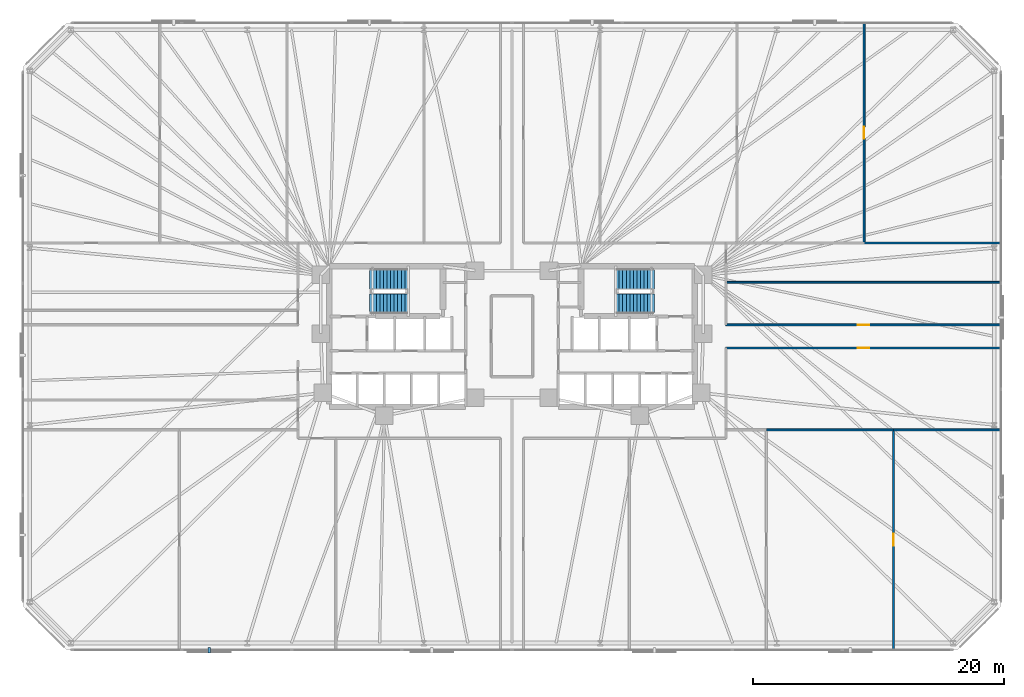
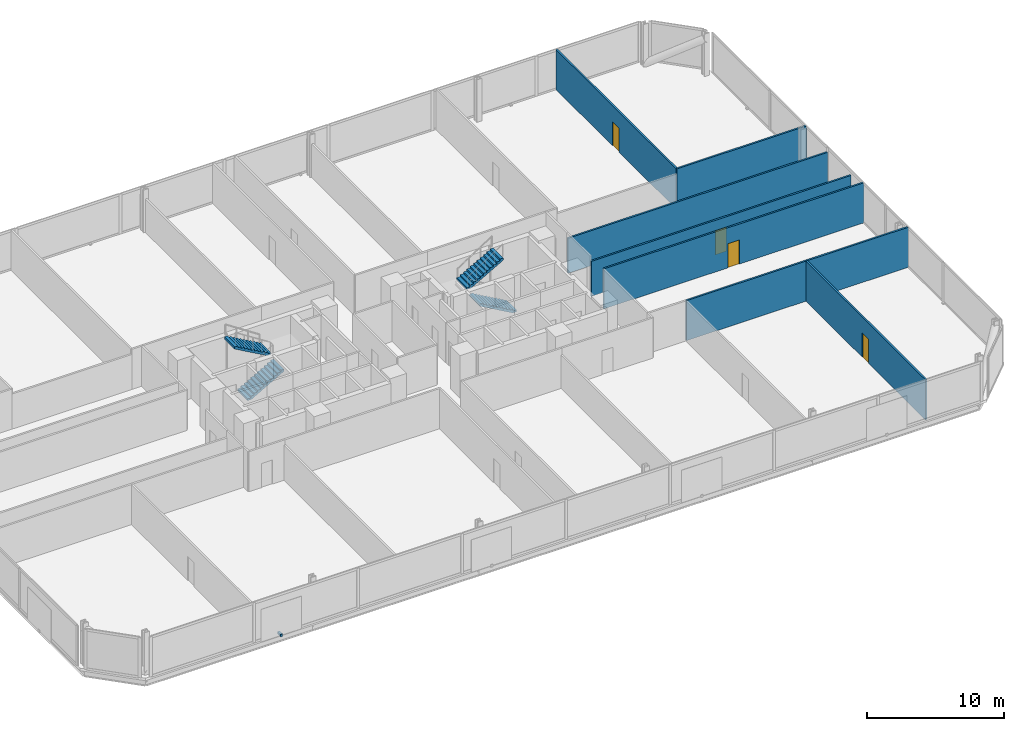
# One storey, part 15 of 17: 8 walls, 4 doors, 4 stair flights, 1 discrete accessory, 4 openings, 2 elements without a shape of their own.
"""IFC4 building model written with IfcOpenShell, lengths in metres."""

from ifc_helpers import new_model, si_unit, direction, frame, frame_2d, origin, origin_2d, place, context, subcontext, project, spatial, polyline, rectangle, outline, extrude, material, layer, layer_set, type_object, element, fill, aggregate, save


model = new_model("IFC4")

# Units and contexts
model_context = context("Model", 3, precision=1e-05, world=origin(), true_north=direction((0.0, 1.0)))
body_context = subcontext(model_context, "Body", "Model", "MODEL_VIEW")
ifc_project = project(units=[si_unit("LENGTHUNIT", "METRE"), si_unit("AREAUNIT", "SQUARE_METRE"), si_unit("VOLUMEUNIT", "CUBIC_METRE"), si_unit("PLANEANGLEUNIT", "RADIAN"), si_unit("MASSUNIT", "GRAM", prefix="KILO")], contexts=[model_context])

# Site, building, storey
site_placement = place(None, origin())
site = spatial("IfcSite", under=ifc_project, at=site_placement, CompositionType="ELEMENT")
building_placement = place(site_placement, origin())
building = spatial("IfcBuilding", under=site, at=building_placement, Name="Menara Jurai Vektor", CompositionType="ELEMENT")
storey_placement = place(building_placement, frame((0.0, 0.0, 25.60009765625)))
storey = spatial("IfcBuildingStorey", under=building, at=storey_placement, Name="L05", CompositionType="ELEMENT", Elevation=25.60009765625)

# Wall, opening, door
ifc_material_1 = material(Name="Gypsum Fireboard Partition", Category="gypsum")
ifc_layer_1 = layer(ifc_material_1, 0.14990234375)
ifc_layer_set_1 = layer_set([ifc_layer_1], Name="Gypsum Fireboard Partition")
wall_type_1 = type_object("IfcWallType", Name="INT-WALL-CORR-150", PredefinedType="PARTITIONING", material=ifc_layer_set_1)
wall_1_placement = place(storey_placement, frame((17.05908203125, -0.919921875, 0.0), z_axis=(0.0, 0.0, 1.0), x_axis=(1.0, 0.0, 0.0)))
wall_1 = element("IfcWall", 1, at=wall_1_placement, inside=storey, type_object=wall_type_1, Name="Interior Wall IW-150 L05", PredefinedType="PARTITIONING", context=body_context, shape_type="SweptSolid", body=[
    extrude(rectangle(XDim=21.94091796875, YDim=0.14990234375, at=frame_2d((10.970458984375, 0.0))), origin(), (0.0, 0.0, 1.0), 3.574951171875),
])
opening_1_placement = place(wall_1_placement, frame((10.49560546875, 0.0, 0.0)))
opening_1 = element("IfcOpeningElement", 2, at=opening_1_placement, cuts=wall_1, Name="Opening D05-17", PredefinedType="OPENING", context=body_context, shape_type="SweptSolid", body=[
    extrude(rectangle(XDim=0.949951171875, YDim=2.14990234375, at=frame_2d((0.47509765625, 1.074951171875))), frame((0.0, 0.0849609375, 0.0), z_axis=(0.0, -1.0, 0.0), x_axis=(1.0, 0.0, 0.0)), (0.0, 0.0, 1.0), 0.169921875),
])
ifc_material_2 = material(Name="Solid Core Timber Fire Door", Category="wood")
door_type = type_object("IfcDoorType", Name="DR-ENTRY-950", OperationType="NOTDEFINED", PredefinedType="DOOR", material=ifc_material_2)
door_1_placement = place(opening_1_placement, origin())
door_1 = element("IfcDoor", 3, at=door_1_placement, inside=storey, type_object=door_type, Name="Interior Door D05-17", OperationType="SINGLE_SWING_RIGHT", OverallHeight=2.14990234375, OverallWidth=0.949951171875, PredefinedType="DOOR", context=body_context, shape_type="SweptSolid", body=[
    extrude(rectangle(XDim=0.949951171875, YDim=2.14990234375, at=frame_2d((0.47509765625, 1.074951171875))), frame((0.0, 0.02490234375, 0.0), z_axis=(0.0, -1.0, 0.0), x_axis=(1.0, 0.0, 0.0)), (0.0, 0.0, 1.0), 0.050048828125),
])
fill(opening_1, door_1)

wall_2_placement = place(storey_placement, frame((28.080078125, 7.449951171875, 0.0), z_axis=(0.0, 0.0, 1.0), x_axis=(0.0, 1.0, 0.0)))
wall_2 = element("IfcWall", 4, at=wall_2_placement, inside=storey, type_object=wall_type_1, Name="Interior Wall IW-150 L05", PredefinedType="PARTITIONING", context=body_context, shape_type="SweptSolid", body=[
    extrude(rectangle(XDim=17.550048828125, YDim=0.14990234375, at=frame_2d((8.77490234375, 0.0))), origin(), (0.0, 0.0, 1.0), 3.574951171875),
])
opening_2_placement = place(wall_2_placement, frame((8.300048828125, 0.0, 0.0)))
opening_2 = element("IfcOpeningElement", 5, at=opening_2_placement, cuts=wall_2, Name="Opening D05-23", PredefinedType="OPENING", context=body_context, shape_type="SweptSolid", body=[
    extrude(rectangle(XDim=0.949951171875, YDim=2.14990234375, at=frame_2d((0.47509765625, 1.074951171875))), frame((0.0, 0.0849609375, 0.0), z_axis=(0.0, -1.0, 0.0), x_axis=(1.0, 0.0, 0.0)), (0.0, 0.0, 1.0), 0.169921875),
])
door_2_placement = place(opening_2_placement, origin())
door_2 = element("IfcDoor", 6, at=door_2_placement, inside=storey, type_object=door_type, Name="Interior Door D05-23", OperationType="SINGLE_SWING_RIGHT", OverallHeight=2.14990234375, OverallWidth=0.949951171875, PredefinedType="DOOR", context=body_context, shape_type="SweptSolid", body=[
    extrude(rectangle(XDim=0.949951171875, YDim=2.14990234375, at=frame_2d((0.47509765625, 1.074951171875))), frame((0.0, 0.02490234375, 0.0), z_axis=(0.0, -1.0, 0.0), x_axis=(1.0, 0.0, 0.0)), (0.0, 0.0, 1.0), 0.050048828125),
])
fill(opening_2, door_2)

# Wall
wall_3_placement = place(storey_placement, frame((28.080078125, 7.449951171875, 0.0), z_axis=(0.0, 0.0, 1.0), x_axis=(1.0, 0.0, 0.0)))
element("IfcWall", 7, at=wall_3_placement, inside=storey, type_object=wall_type_1, Name="Interior Wall IW-150 L05", PredefinedType="PARTITIONING", context=body_context, shape_type="SweptSolid", body=[
    extrude(rectangle(XDim=10.919921875, YDim=0.14990234375, at=frame_2d((5.4599609375, 0.0))), origin(), (0.0, 0.0, 1.0), 3.574951171875),
])

# Wall, opening, door
wall_4_placement = place(storey_placement, frame((30.419921875, -25.0, 0.0), z_axis=(0.0, 0.0, 1.0), x_axis=(0.0, 1.0, 0.0)))
wall_4 = element("IfcWall", 8, at=wall_4_placement, inside=storey, type_object=wall_type_1, Name="Interior Wall IW-150 L05", PredefinedType="PARTITIONING", context=body_context, shape_type="SweptSolid", body=[
    extrude(rectangle(XDim=17.550048828125, YDim=0.14990234375, at=frame_2d((8.77490234375, 0.0))), origin(), (0.0, 0.0, 1.0), 3.574951171875),
])
opening_3_placement = place(wall_4_placement, frame((8.300048828125, 0.0, 0.0)))
opening_3 = element("IfcOpeningElement", 9, at=opening_3_placement, cuts=wall_4, Name="Opening D05-26", PredefinedType="OPENING", context=body_context, shape_type="SweptSolid", body=[
    extrude(rectangle(XDim=0.949951171875, YDim=2.14990234375, at=frame_2d((0.47509765625, 1.074951171875))), frame((0.0, 0.0849609375, 0.0), z_axis=(0.0, -1.0, 0.0), x_axis=(1.0, 0.0, 0.0)), (0.0, 0.0, 1.0), 0.169921875),
])
door_3_placement = place(opening_3_placement, origin())
door_3 = element("IfcDoor", 10, at=door_3_placement, inside=storey, type_object=door_type, Name="Interior Door D05-26", OperationType="SINGLE_SWING_LEFT", OverallHeight=2.14990234375, OverallWidth=0.949951171875, PredefinedType="DOOR", context=body_context, shape_type="SweptSolid", body=[
    extrude(rectangle(XDim=0.949951171875, YDim=2.14990234375, at=frame_2d((0.47509765625, 1.074951171875))), frame((0.0, 0.02490234375, 0.0), z_axis=(0.0, -1.0, 0.0), x_axis=(1.0, 0.0, 0.0)), (0.0, 0.0, 1.0), 0.050048828125),
])
fill(opening_3, door_3)

# Walls
wall_5_placement = place(storey_placement, frame((20.280029296875, -7.449951171875, 0.0), z_axis=(0.0, 0.0, 1.0), x_axis=(1.0, 0.0, 0.0)))
element("IfcWall", 11, at=wall_5_placement, inside=storey, type_object=wall_type_1, Name="Interior Wall IW-150 L05", PredefinedType="PARTITIONING", context=body_context, shape_type="SweptSolid", body=[
    extrude(rectangle(XDim=10.139892578125, YDim=0.14990234375, at=frame_2d((5.06982421875, 0.0))), origin(), (0.0, 0.0, 1.0), 3.574951171875),
])
wall_6_placement = place(storey_placement, frame((30.419921875, -7.449951171875, 0.0), z_axis=(0.0, 0.0, 1.0), x_axis=(1.0, 0.0, 0.0)))
element("IfcWall", 12, at=wall_6_placement, inside=storey, type_object=wall_type_1, Name="Interior Wall IW-150 L05", PredefinedType="PARTITIONING", context=body_context, shape_type="SweptSolid", body=[
    extrude(rectangle(XDim=8.580078125, YDim=0.14990234375, at=frame_2d((4.2900390625, 0.0))), origin(), (0.0, 0.0, 1.0), 3.574951171875),
])

# Wall, opening, door
ifc_layer_2 = layer(ifc_material_1, 0.14990234375)
ifc_layer_set_2 = layer_set([ifc_layer_2], Name="Gypsum Fireboard Partition")
wall_type_2 = type_object("IfcWallType", Name="INT-WALL-CORR-150-H1", PredefinedType="PARTITIONING", material=ifc_layer_set_2)
wall_7_placement = place(storey_placement, frame((17.05908203125, 0.919921875, 0.0), z_axis=(0.0, 0.0, 1.0), x_axis=(1.0, 0.0, 0.0)))
wall_7 = element("IfcWall", 13, at=wall_7_placement, inside=storey, type_object=wall_type_2, Name="Interior Wall IW-150 L05", PredefinedType="PARTITIONING", context=body_context, shape_type="SweptSolid", body=[
    extrude(rectangle(XDim=21.94091796875, YDim=0.14990234375, at=frame_2d((10.970458984375, 0.0))), origin(), (0.0, 0.0, 1.0), 3.125),
])
opening_4_placement = place(wall_7_placement, frame((10.49560546875, 0.0, 0.0)))
opening_4 = element("IfcOpeningElement", 14, at=opening_4_placement, cuts=wall_7, Name="Opening D05-18", PredefinedType="OPENING", context=body_context, shape_type="SweptSolid", body=[
    extrude(rectangle(XDim=0.949951171875, YDim=2.14990234375, at=frame_2d((0.47509765625, 1.074951171875))), frame((0.0, 0.0849609375, 0.0), z_axis=(0.0, -1.0, 0.0), x_axis=(1.0, 0.0, 0.0)), (0.0, 0.0, 1.0), 0.169921875),
])
door_4_placement = place(opening_4_placement, origin())
door_4 = element("IfcDoor", 15, at=door_4_placement, inside=storey, type_object=door_type, Name="Interior Door D05-18", OperationType="SINGLE_SWING_LEFT", OverallHeight=2.14990234375, OverallWidth=0.949951171875, PredefinedType="DOOR", context=body_context, shape_type="SweptSolid", body=[
    extrude(rectangle(XDim=0.949951171875, YDim=2.14990234375, at=frame_2d((0.47509765625, 1.074951171875))), frame((0.0, 0.02490234375, 0.0), z_axis=(0.0, -1.0, 0.0), x_axis=(1.0, 0.0, 0.0)), (0.0, 0.0, 1.0), 0.050048828125),
])
fill(opening_4, door_4)

# Wall
wall_8_placement = place(storey_placement, frame((17.05908203125, 4.321044921875, 0.0), z_axis=(0.0, 0.0, 1.0), x_axis=(1.0, 0.0, 0.0)))
element("IfcWall", 16, at=wall_8_placement, inside=storey, type_object=wall_type_2, Name="Interior Wall IW-150 L05", PredefinedType="PARTITIONING", context=body_context, shape_type="SweptSolid", body=[
    extrude(rectangle(XDim=21.94091796875, YDim=0.14990234375, at=frame_2d((10.970458984375, 0.0))), origin(), (0.0, 0.0, 1.0), 3.125),
])

# Stair, stair flights
ifc_material_3 = material(Name="Concrete C40/50", Category="concrete")
stair_type = type_object("IfcStairType", Name="STAIR-DOGLEG-1500", PredefinedType="HALF_TURN_STAIR", material=ifc_material_3)
stair_1_placement = place(storey_placement, origin())
stair_1 = element("IfcStair", 17, at=stair_1_placement, inside=storey, type_object=stair_type, Name="Protected Exit Stair ST1 L05", PredefinedType="HALF_TURN_STAIR")
stair_flight_type = type_object("IfcStairFlightType", Name="STAIR-FLIGHT-1500", PredefinedType="STRAIGHT", material=ifc_material_3)
stair_flight_1_placement = place(storey_placement, frame((-11.35009765625, 2.64990234375, 0.0), z_axis=(0.0, 0.0, 1.0), x_axis=(1.0, 0.0, 0.0)))
stair_flight_1 = element("IfcStairFlight", 18, at=stair_flight_1_placement, type_object=stair_flight_type, Name="ST1 flight 1", NumberOfRisers=12, NumberOfTreads=11, PredefinedType="STRAIGHT", RiserHeight=0.158333, TreadLength=0.28, context=body_context, shape_type="SweptSolid", body=[
    extrude(outline(polyline([(0.0, 0.0), (0.0, 0.158447265625), (0.280029296875, 0.158447265625), (0.280029296875, 0.316650390625), (0.56005859375, 0.316650390625), (0.56005859375, 0.47509765625), (0.840087890625, 0.47509765625), (0.840087890625, 0.63330078125), (1.1201171875, 0.63330078125), (1.1201171875, 0.791748046875), (1.39990234375, 0.791748046875), (1.39990234375, 0.949951171875), (1.679931640625, 0.949951171875), (1.679931640625, 1.1083984375), (1.9599609375, 1.1083984375), (1.9599609375, 1.2666015625), (2.239990234375, 1.2666015625), (2.239990234375, 1.425048828125), (2.52001953125, 1.425048828125), (2.52001953125, 1.583251953125), (2.800048828125, 1.583251953125), (2.800048828125, 1.74169921875), (3.080078125, 1.74169921875), (3.080078125, 1.89990234375), (3.080078125, 1.557861328125), (0.324951171875, 0.0), (0.0, 0.0)])), frame((0.0, 0.75, 0.0), z_axis=(0.0, -1.0, 0.0), x_axis=(1.0, 0.0, 0.0)), (0.0, 0.0, 1.0), 1.5),
])
stair_flight_2_placement = place(storey_placement, frame((-8.27001953125, 4.550048828125, 1.89990234375), z_axis=(0.0, 0.0, 1.0), x_axis=(-1.0, 0.0, 0.0)))
stair_flight_2 = element("IfcStairFlight", 19, at=stair_flight_2_placement, type_object=stair_flight_type, Name="ST1 flight 2", NumberOfRisers=12, NumberOfTreads=11, PredefinedType="STRAIGHT", RiserHeight=0.158333, TreadLength=0.28, context=body_context, shape_type="SweptSolid", body=[
    extrude(outline(polyline([(0.0, 0.0), (0.0, 0.158447265625), (0.280029296875, 0.158447265625), (0.280029296875, 0.316650390625), (0.56005859375, 0.316650390625), (0.56005859375, 0.47509765625), (0.840087890625, 0.47509765625), (0.840087890625, 0.63330078125), (1.1201171875, 0.63330078125), (1.1201171875, 0.791748046875), (1.39990234375, 0.791748046875), (1.39990234375, 0.949951171875), (1.679931640625, 0.949951171875), (1.679931640625, 1.1083984375), (1.9599609375, 1.1083984375), (1.9599609375, 1.2666015625), (2.239990234375, 1.2666015625), (2.239990234375, 1.425048828125), (2.52001953125, 1.425048828125), (2.52001953125, 1.583251953125), (2.800048828125, 1.583251953125), (2.800048828125, 1.74169921875), (3.080078125, 1.74169921875), (3.080078125, 1.89990234375), (3.080078125, 1.557861328125), (0.324951171875, 0.0), (0.0, 0.0)])), frame((0.0, 0.75, 0.0), z_axis=(0.0, -1.0, 0.0), x_axis=(1.0, 0.0, 0.0)), (0.0, 0.0, 1.0), 1.5),
])
aggregate(stair_1, [stair_flight_1, stair_flight_2])

stair_2_placement = place(storey_placement, origin())
stair_2 = element("IfcStair", 20, at=stair_2_placement, inside=storey, type_object=stair_type, Name="Protected Exit Stair ST2 L05", PredefinedType="HALF_TURN_STAIR")
stair_flight_3_placement = place(storey_placement, frame((11.35009765625, 2.64990234375, 0.0), z_axis=(0.0, 0.0, 1.0), x_axis=(-1.0, 0.0, 0.0)))
stair_flight_3 = element("IfcStairFlight", 21, at=stair_flight_3_placement, type_object=stair_flight_type, Name="ST2 flight 1", NumberOfRisers=12, NumberOfTreads=11, PredefinedType="STRAIGHT", RiserHeight=0.158333, TreadLength=0.28, context=body_context, shape_type="SweptSolid", body=[
    extrude(outline(polyline([(0.0, 0.0), (0.0, 0.158447265625), (0.280029296875, 0.158447265625), (0.280029296875, 0.316650390625), (0.56005859375, 0.316650390625), (0.56005859375, 0.47509765625), (0.840087890625, 0.47509765625), (0.840087890625, 0.63330078125), (1.1201171875, 0.63330078125), (1.1201171875, 0.791748046875), (1.39990234375, 0.791748046875), (1.39990234375, 0.949951171875), (1.679931640625, 0.949951171875), (1.679931640625, 1.1083984375), (1.9599609375, 1.1083984375), (1.9599609375, 1.2666015625), (2.239990234375, 1.2666015625), (2.239990234375, 1.425048828125), (2.52001953125, 1.425048828125), (2.52001953125, 1.583251953125), (2.800048828125, 1.583251953125), (2.800048828125, 1.74169921875), (3.080078125, 1.74169921875), (3.080078125, 1.89990234375), (3.080078125, 1.557861328125), (0.324951171875, 0.0), (0.0, 0.0)])), frame((0.0, 0.75, 0.0), z_axis=(0.0, -1.0, 0.0), x_axis=(1.0, 0.0, 0.0)), (0.0, 0.0, 1.0), 1.5),
])
stair_flight_4_placement = place(storey_placement, frame((8.27001953125, 4.550048828125, 1.89990234375), z_axis=(0.0, 0.0, 1.0), x_axis=(1.0, 0.0, 0.0)))
stair_flight_4 = element("IfcStairFlight", 22, at=stair_flight_4_placement, type_object=stair_flight_type, Name="ST2 flight 2", NumberOfRisers=12, NumberOfTreads=11, PredefinedType="STRAIGHT", RiserHeight=0.158333, TreadLength=0.28, context=body_context, shape_type="SweptSolid", body=[
    extrude(outline(polyline([(0.0, 0.0), (0.0, 0.158447265625), (0.280029296875, 0.158447265625), (0.280029296875, 0.316650390625), (0.56005859375, 0.316650390625), (0.56005859375, 0.47509765625), (0.840087890625, 0.47509765625), (0.840087890625, 0.63330078125), (1.1201171875, 0.63330078125), (1.1201171875, 0.791748046875), (1.39990234375, 0.791748046875), (1.39990234375, 0.949951171875), (1.679931640625, 0.949951171875), (1.679931640625, 1.1083984375), (1.9599609375, 1.1083984375), (1.9599609375, 1.2666015625), (2.239990234375, 1.2666015625), (2.239990234375, 1.425048828125), (2.52001953125, 1.425048828125), (2.52001953125, 1.583251953125), (2.800048828125, 1.583251953125), (2.800048828125, 1.74169921875), (3.080078125, 1.74169921875), (3.080078125, 1.89990234375), (3.080078125, 1.557861328125), (0.324951171875, 0.0), (0.0, 0.0)])), frame((0.0, 0.75, 0.0), z_axis=(0.0, -1.0, 0.0), x_axis=(1.0, 0.0, 0.0)), (0.0, 0.0, 1.0), 1.5),
])
aggregate(stair_2, [stair_flight_3, stair_flight_4])

# Discrete accessory
ifc_material_4 = material(Name="Steel S355", Category="steel")
discrete_accessory_type = type_object("IfcDiscreteAccessoryType", Name="ENV-ACC-BRACKET", PredefinedType="BRACKET", material=ifc_material_4)
discrete_accessory_placement = place(storey_placement, frame((-24.139892578125, -25.010009765625, -0.1298828125), z_axis=(0.0, 0.0, 1.0), x_axis=(1.0, 0.0, 0.0)))
element("IfcDiscreteAccessory", 23, at=discrete_accessory_placement, inside=storey, type_object=discrete_accessory_type, Name="Solar Screen Stand-Off Bracket L05-S01", PredefinedType="BRACKET", context=body_context, shape_type="SweptSolid", body=[
    extrude(rectangle(XDim=0.179931640625, YDim=0.43994140625, at=origin_2d()), origin(), (0.0, 0.0, 1.0), 0.219970703125),
])

save(model, "model.ifc")
